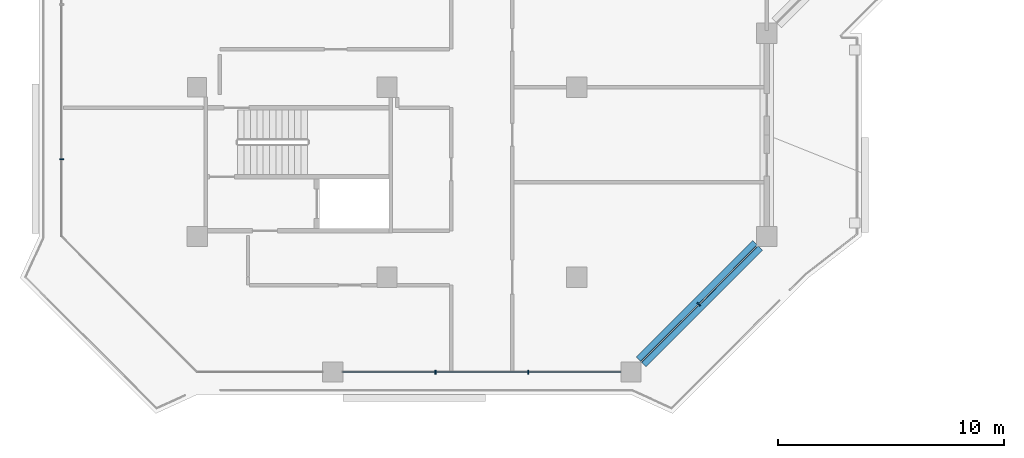
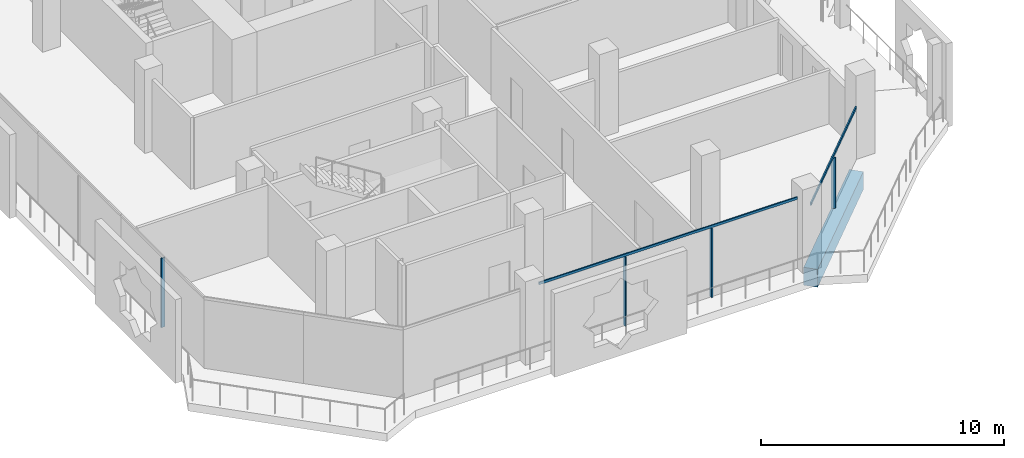
# One storey, part 2 of 21: 6 members, 1 beam, 3 elements without a shape of their own.
"""IFC4 building model written with IfcOpenShell, lengths in metres."""

from ifc_helpers import new_model, si_unit, direction, frame, origin, origin_2d, place, context, subcontext, project, spatial, rectangle, extrude, material, layer, layer_set, material_profile, profile_set, type_object, element, aggregate, save


model = new_model("IFC4")

# Units and contexts
model_context = context("Model", 3, precision=1e-05, world=origin(), true_north=direction((0.0, 1.0)))
body_context = subcontext(model_context, "Body", "Model", "MODEL_VIEW")
ifc_project = project(units=[si_unit("LENGTHUNIT", "METRE"), si_unit("AREAUNIT", "SQUARE_METRE"), si_unit("VOLUMEUNIT", "CUBIC_METRE"), si_unit("PLANEANGLEUNIT", "RADIAN"), si_unit("MASSUNIT", "GRAM", prefix="KILO")], contexts=[model_context])

# Site, building, storey
site_placement = place(None, origin())
site = spatial("IfcSite", under=ifc_project, at=site_placement, CompositionType="ELEMENT")
building_placement = place(site_placement, origin())
building = spatial("IfcBuilding", under=site, at=building_placement, Name="Kawkab Arch Medical Tower", CompositionType="ELEMENT")
storey_placement = place(building_placement, frame((0.0, 0.0, 230.60009765625)))
storey = spatial("IfcBuildingStorey", under=building, at=storey_placement, Name="L53", CompositionType="ELEMENT", Elevation=230.60009765625)

# Curtain wall, member
ifc_material_1 = material(Name="Bronze anodised aluminium curtain wall frame", Category="aluminium")
ifc_layer_1 = layer(ifc_material_1, 0.159912109375)
ifc_layer_set_1 = layer_set([ifc_layer_1], Name="Bronze anodised aluminium curtain wall frame")
curtain_wall_type_1 = type_object("IfcCurtainWallType", Name="CW1 ward curtain wall", PredefinedType="NOTDEFINED", material=ifc_layer_set_1)
placement = place(storey_placement, origin())
curtain_wall_1 = element("IfcCurtainWall", 1, at=placement, inside=storey, type_object=curtain_wall_type_1, Name="CW1 Ward curtain wall R01", PredefinedType="NOTDEFINED")
ifc_material_2 = material(Name="Bronze anodised aluminium curtain wall frame", Category="aluminium")
ifc_material_profile_1 = material_profile(ifc_material_2, rectangle(XDim=0.179931640625, YDim=0.06005859375, at=origin_2d()), Name="AL 60x180")
ifc_profile_set_1 = profile_set([ifc_material_profile_1], Name="Bronze anodised aluminium curtain wall frame")
member_type_1 = type_object("IfcMemberType", Name="CW1 mullion 60 x 180", PredefinedType="MULLION", material=ifc_profile_set_1)
member_1_placement = place(storey_placement, frame((-6.0, -36.780029296875, 0.0), z_axis=(0.0, 0.0, 1.0), x_axis=(1.0, 0.0, 0.0)))
member_1 = element("IfcMember", 2, at=member_1_placement, type_object=member_type_1, Name="CW1 mullion 5.1", PredefinedType="MULLION", context=body_context, shape_type="SweptSolid", body=[
    extrude(rectangle(XDim=0.179931640625, YDim=0.06005859375, at=origin_2d()), origin(), (0.0, 0.0, 1.0), 3.47998046875),
])
aggregate(curtain_wall_1, [member_1])

# Curtain wall, members
curtain_wall_2 = element("IfcCurtainWall", 3, at=placement, inside=storey, type_object=curtain_wall_type_1, Name="CW1 Ward curtain wall R03", PredefinedType="NOTDEFINED")
member_2_placement = place(storey_placement, frame((10.550048828125, -46.199951171875, 0.0), z_axis=(0.0, 0.0, 1.0), x_axis=(0.0, 1.0, 0.0)))
member_2 = element("IfcMember", 4, at=member_2_placement, type_object=member_type_1, Name="CW1 mullion 2.1", PredefinedType="MULLION", context=body_context, shape_type="SweptSolid", body=[
    extrude(rectangle(XDim=0.179931640625, YDim=0.06005859375, at=origin_2d()), origin(), (0.0, 0.0, 1.0), 3.47998046875),
])
member_3_placement = place(storey_placement, frame((14.64990234375, -46.199951171875, 0.0), z_axis=(0.0, 0.0, 1.0), x_axis=(0.0, 1.0, 0.0)))
member_3 = element("IfcMember", 5, at=member_3_placement, type_object=member_type_1, Name="CW1 mullion 2.2", PredefinedType="MULLION", context=body_context, shape_type="SweptSolid", body=[
    extrude(rectangle(XDim=0.179931640625, YDim=0.06005859375, at=origin_2d()), origin(), (0.0, 0.0, 1.0), 3.47998046875),
])
ifc_material_3 = material(Name="Bronze anodised aluminium curtain wall frame", Category="aluminium")
ifc_material_profile_2 = material_profile(ifc_material_3, rectangle(XDim=0.06005859375, YDim=0.1201171875, at=origin_2d()), Name="AL 60x120")
ifc_profile_set_2 = profile_set([ifc_material_profile_2], Name="Bronze anodised aluminium curtain wall frame")
member_type_2 = type_object("IfcMemberType", Name="CW1 transom 120 x 60", PredefinedType="USERDEFINED", material=ifc_profile_set_2)
member_4_placement = place(storey_placement, frame((6.449951171875, -46.199951171875, 3.539794921875), z_axis=(1.0, 0.0, 0.0), x_axis=(0.0, 1.0, 0.0)))
member_4 = element("IfcMember", 6, at=member_4_placement, type_object=member_type_2, Name="CW1 transom 2", ObjectType="TRANSOM", PredefinedType="USERDEFINED", context=body_context, shape_type="SweptSolid", body=[
    extrude(rectangle(XDim=0.06005859375, YDim=0.1201171875, at=origin_2d()), origin(), (0.0, 0.0, 1.0), 12.300048828125),
])
aggregate(curtain_wall_2, [member_4, member_2, member_3])

ifc_material_4 = material(Name="Bronze anodised aluminium curtain wall frame", Category="aluminium")
ifc_layer_2 = layer(ifc_material_4, 0.159912109375)
ifc_layer_set_2 = layer_set([ifc_layer_2], Name="Bronze anodised aluminium curtain wall frame")
curtain_wall_type_2 = type_object("IfcCurtainWallType", Name="CW2 chamfer curtain wall", PredefinedType="NOTDEFINED", material=ifc_layer_set_2)
curtain_wall_3 = element("IfcCurtainWall", 7, at=placement, inside=storey, type_object=curtain_wall_type_2, Name="CW2 Chamfer curtain wall R04", PredefinedType="NOTDEFINED")
ifc_material_5 = material(Name="Bronze anodised aluminium curtain wall frame", Category="aluminium")
ifc_material_profile_3 = material_profile(ifc_material_5, rectangle(XDim=0.199951171875, YDim=0.06005859375, at=origin_2d()), Name="AL 60x200")
ifc_profile_set_3 = profile_set([ifc_material_profile_3], Name="Bronze anodised aluminium curtain wall frame")
member_type_3 = type_object("IfcMemberType", Name="CW2 mullion 60 x 200", PredefinedType="MULLION", material=ifc_profile_set_3)
member_5_placement = place(storey_placement, frame((22.199951171875, -43.199951171875, 0.0), z_axis=(0.0, 0.0, 1.0), x_axis=(-0.707106781187, 0.707106781187, 0.0)))
member_5 = element("IfcMember", 8, at=member_5_placement, type_object=member_type_3, Name="CW2 mullion 1.1", PredefinedType="MULLION", context=body_context, shape_type="SweptSolid", body=[
    extrude(rectangle(XDim=0.199951171875, YDim=0.06005859375, at=origin_2d()), origin(), (0.0, 0.0, 1.0), 2.559814453125),
])
ifc_material_6 = material(Name="Bronze anodised aluminium curtain wall frame", Category="aluminium")
ifc_material_profile_4 = material_profile(ifc_material_6, rectangle(XDim=0.06005859375, YDim=0.139892578125, at=origin_2d()), Name="AL 60x140")
ifc_profile_set_4 = profile_set([ifc_material_profile_4], Name="Bronze anodised aluminium curtain wall frame")
member_type_4 = type_object("IfcMemberType", Name="CW2 transom 140 x 60", PredefinedType="USERDEFINED", material=ifc_profile_set_4)
member_6_placement = place(storey_placement, frame((19.64990234375, -45.75, 2.6298828125), z_axis=(0.707106781187, 0.707106781187, 0.0), x_axis=(-0.707106781187, 0.707106781187, 0.0)))
member_6 = element("IfcMember", 9, at=member_6_placement, type_object=member_type_4, Name="CW2 transom 1", ObjectType="TRANSOM", PredefinedType="USERDEFINED", context=body_context, shape_type="SweptSolid", body=[
    extrude(rectangle(XDim=0.06005859375, YDim=0.139892578125, at=origin_2d()), origin(), (0.0, 0.0, 1.0), 7.212646484375),
])
aggregate(curtain_wall_3, [member_6, member_5])

# Beam
ifc_material_7 = material(Name="Concrete C45/55", Category="concrete")
ifc_material_profile_5 = material_profile(ifc_material_7, rectangle(XDim=0.60009765625, YDim=0.89990234375, at=origin_2d()), Name="RC 600x900")
ifc_profile_set_5 = profile_set([ifc_material_profile_5], Name="Concrete C45/55")
beam_type = type_object("IfcBeamType", Name="RC 600x900 beam C45/55", PredefinedType="BEAM", material=ifc_profile_set_5)
beam_placement = place(storey_placement, frame((24.800048828125, -40.60009765625, -1.050048828125), z_axis=(-0.707123541442, -0.707090020534, 0.0), x_axis=(0.707090020534, -0.707123541442, 0.0)))
element("IfcBeam", 10, at=beam_placement, inside=storey, type_object=beam_type, Name="Overhang edge beam L53-04", PredefinedType="BEAM", context=body_context, shape_type="SweptSolid", body=[
    extrude(rectangle(XDim=0.60009765625, YDim=0.89990234375, at=origin_2d()), origin(), (0.0, 0.0, 1.0), 7.283203125),
])

save(model, "model.ifc")
